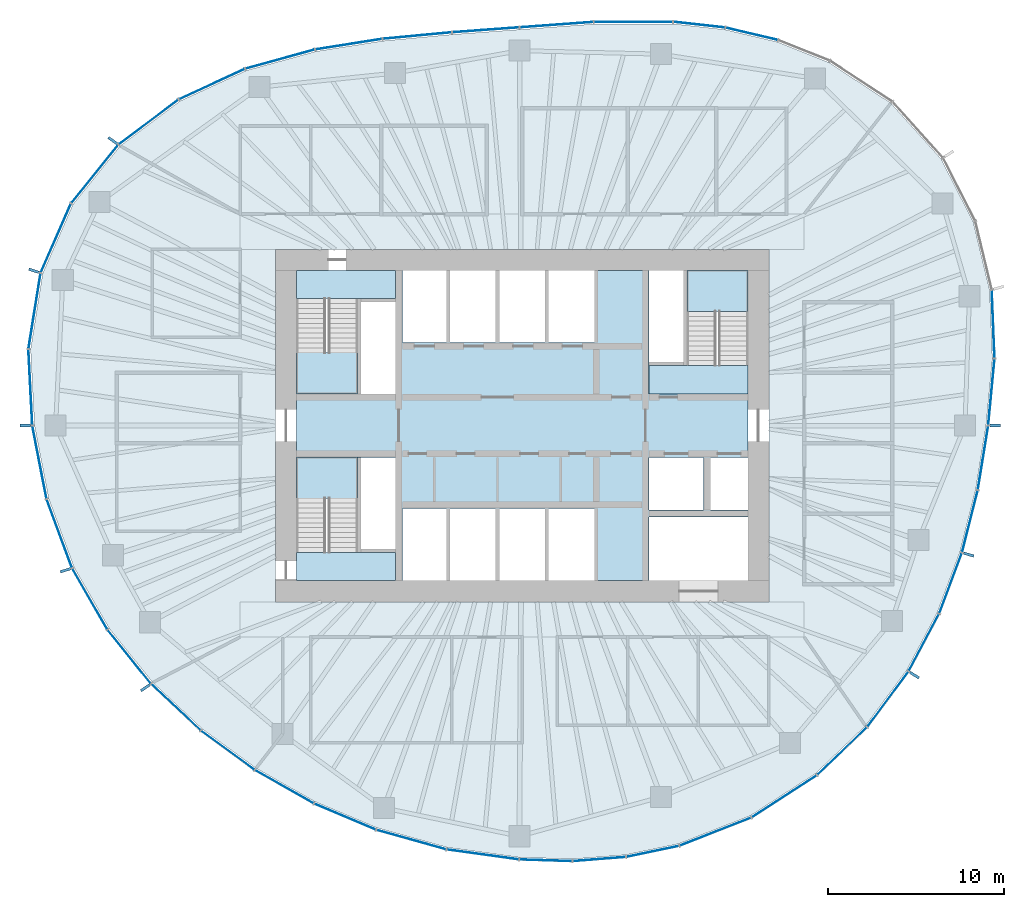
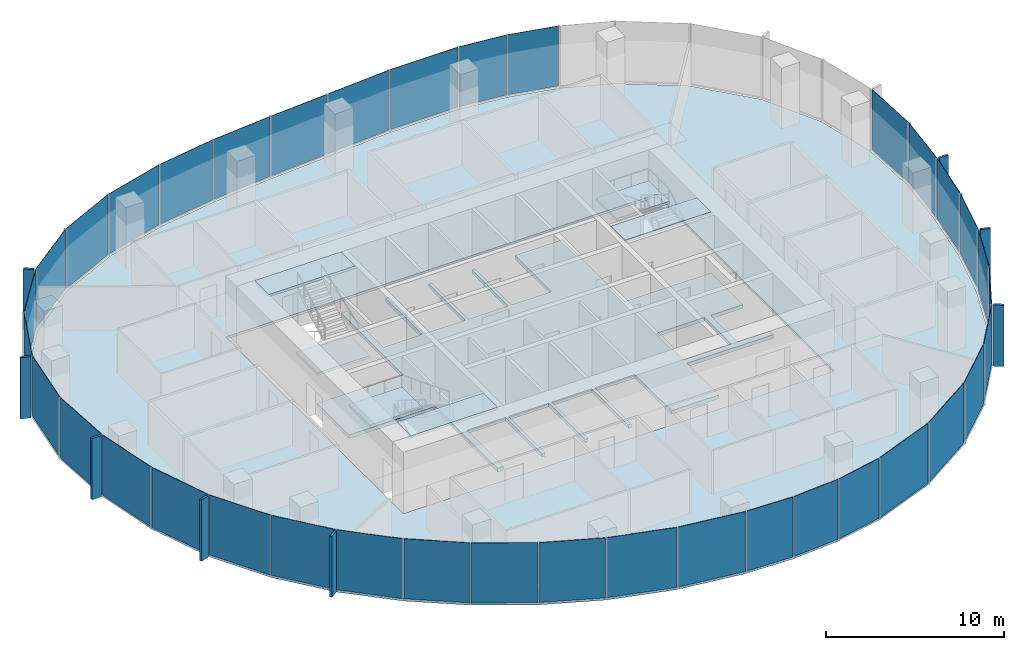
# One storey, part 7 of 12: 45 plates, 8 slabs, 21 elements without a shape of their own.
"""IFC4 building model written with IfcOpenShell, lengths in metres."""

from ifc_helpers import new_model, si_unit, direction, frame, origin, origin_2d, place, context, subcontext, project, spatial, polyline, rectangle, outline, extrude, material, layer, layer_set, type_object, element, aggregate, save


model = new_model("IFC4")

# Units and contexts
model_context = context("Model", 3, precision=1e-05, world=origin(), true_north=direction((0.0, 1.0)))
body_context = subcontext(model_context, "Body", "Model", "MODEL_VIEW")
ifc_project = project(units=[si_unit("LENGTHUNIT", "METRE"), si_unit("AREAUNIT", "SQUARE_METRE"), si_unit("VOLUMEUNIT", "CUBIC_METRE"), si_unit("PLANEANGLEUNIT", "RADIAN"), si_unit("MASSUNIT", "GRAM", prefix="KILO")], contexts=[model_context])

# Site, building, storey
site_placement = place(None, origin())
site = spatial("IfcSite", under=ifc_project, at=site_placement, CompositionType="ELEMENT")
building_placement = place(site_placement, origin())
building = spatial("IfcBuilding", under=site, at=building_placement, Name="Ghaith Harvest Tower", CompositionType="ELEMENT")
storey_placement = place(building_placement, frame((0.0, 0.0, 236.800048828125)))
storey = spatial("IfcBuildingStorey", under=building, at=storey_placement, Name="L52", CompositionType="ELEMENT", Elevation=236.800048828125)

# Curtain wall, plates
ifc_material_1 = material(Name="Black anodised aluminium and fritted glass", Category="aluminium")
curtain_wall_type = type_object("IfcCurtainWallType", Name="CW-H CURTAIN WALL", PredefinedType="NOTDEFINED", material=ifc_material_1)
curtain_wall_1_placement = place(storey_placement, origin())
curtain_wall_1 = element("IfcCurtainWall", 1, at=curtain_wall_1_placement, inside=storey, type_object=curtain_wall_type, Name="Curtain wall CW-H bay 01 L52", PredefinedType="NOTDEFINED")
ifc_material_2 = material(Name="Glass, dark solar-control fritted double glazed unit", Category="glass")
ifc_layer_1 = layer(ifc_material_2, 0.030029296875)
ifc_layer_set_1 = layer_set([ifc_layer_1], Name="CW-H VISION PANEL")
plate_type_1 = type_object("IfcPlateType", Name="CW-H VISION PANEL", PredefinedType="CURTAIN_PANEL", material=ifc_layer_set_1)
plate_1_placement = place(storey_placement, frame((26.624755859375, 1.89794921875, 0.079833984375), z_axis=(0.0, 0.0, 1.0), x_axis=(0.094301909937, 0.995543645343, 0.0)))
plate_1 = element("IfcPlate", 2, at=plate_1_placement, type_object=plate_type_1, Name="CW-H glass unit 1 bay 01 L52", PredefinedType="CURTAIN_PANEL", context=body_context, shape_type="SweptSolid", body=[
    extrude(rectangle(XDim=3.73291015625, YDim=0.030029296875, at=origin_2d()), origin(), (0.0, 0.0, 1.0), 4.1201171875),
])
plate_2_placement = place(storey_placement, frame((26.7255859375, 5.74853515625, 0.079833984375), z_axis=(0.0, 0.0, 1.0), x_axis=(-0.040462173218, 0.999181070947, 0.0)))
plate_2 = element("IfcPlate", 3, at=plate_2_placement, type_object=plate_type_1, Name="CW-H glass unit 2 bay 01 L52", PredefinedType="CURTAIN_PANEL", context=body_context, shape_type="SweptSolid", body=[
    extrude(rectangle(XDim=3.82861328125, YDim=0.030029296875, at=origin_2d()), origin(), (0.0, 0.0, 1.0), 4.1201171875),
])
aggregate(curtain_wall_1, [plate_1, plate_2])

curtain_wall_2_placement = place(storey_placement, origin())
curtain_wall_2 = element("IfcCurtainWall", 4, at=curtain_wall_2_placement, inside=storey, type_object=curtain_wall_type, Name="Curtain wall CW-H bay 04 L52", PredefinedType="NOTDEFINED")
plate_3_placement = place(storey_placement, frame((13.027099609375, 22.225341796875, 0.079833984375), z_axis=(0.0, 0.0, 1.0), x_axis=(-0.973266235028, 0.229679854916, 0.0)))
plate_3 = element("IfcPlate", 5, at=plate_3_placement, type_object=plate_type_1, Name="CW-H glass unit 2 bay 04 L52", PredefinedType="CURTAIN_PANEL", context=body_context, shape_type="SweptSolid", body=[
    extrude(rectangle(XDim=3.00244140625, YDim=0.030029296875, at=origin_2d()), origin(), (0.0, 0.0, 1.0), 4.1201171875),
])
plate_4_placement = place(storey_placement, frame((10.045654296875, 22.744384765625, 0.079833984375), z_axis=(0.0, 0.0, 1.0), x_axis=(-0.993865217442, 0.11059805405, 0.0)))
plate_4 = element("IfcPlate", 6, at=plate_4_placement, type_object=plate_type_1, Name="CW-H glass unit 3 bay 04 L52", PredefinedType="CURTAIN_PANEL", context=body_context, shape_type="SweptSolid", body=[
    extrude(rectangle(XDim=2.901123046875, YDim=0.030029296875, at=origin_2d()), origin(), (0.0, 0.0, 1.0), 4.1201171875),
])
aggregate(curtain_wall_2, [plate_3, plate_4])

curtain_wall_3_placement = place(storey_placement, origin())
curtain_wall_3 = element("IfcCurtainWall", 7, at=curtain_wall_3_placement, inside=storey, type_object=curtain_wall_type, Name="Curtain wall CW-H bay 05 L52", PredefinedType="NOTDEFINED")
plate_5_placement = place(storey_placement, frame((6.31201171875, 22.904296875, 0.079833984375), z_axis=(0.0, 0.0, 1.0), x_axis=(-0.999997643645, -0.002170876291, 0.0)))
plate_5 = element("IfcPlate", 8, at=plate_5_placement, type_object=plate_type_1, Name="CW-H glass unit 1 bay 05 L52", PredefinedType="CURTAIN_PANEL", context=body_context, shape_type="SweptSolid", body=[
    extrude(rectangle(XDim=4.4248046875, YDim=0.030029296875, at=origin_2d()), origin(), (0.0, 0.0, 1.0), 4.1201171875),
])
plate_6_placement = place(storey_placement, frame((1.952392578125, 22.744873046875, 0.079833984375), z_axis=(0.0, 0.0, 1.0), x_axis=(-0.997324570719, -0.073100619976, 0.0)))
plate_6 = element("IfcPlate", 9, at=plate_6_placement, type_object=plate_type_1, Name="CW-H glass unit 2 bay 05 L52", PredefinedType="CURTAIN_PANEL", context=body_context, shape_type="SweptSolid", body=[
    extrude(rectangle(XDim=4.1455078125, YDim=0.030029296875, at=origin_2d()), origin(), (0.0, 0.0, 1.0), 4.1201171875),
])
aggregate(curtain_wall_3, [plate_5, plate_6])

curtain_wall_4_placement = place(storey_placement, origin())
curtain_wall_4 = element("IfcCurtainWall", 10, at=curtain_wall_4_placement, inside=storey, type_object=curtain_wall_type, Name="Curtain wall CW-H bay 06 L52", PredefinedType="NOTDEFINED")
plate_7_placement = place(storey_placement, frame((-2.0693359375, 22.450439453125, 0.079833984375), z_axis=(0.0, 0.0, 1.0), x_axis=(-0.997334393671, -0.072966479985, 0.0)))
plate_7 = element("IfcPlate", 11, at=plate_7_placement, type_object=plate_type_1, Name="CW-H glass unit 1 bay 06 L52", PredefinedType="CURTAIN_PANEL", context=body_context, shape_type="SweptSolid", body=[
    extrude(rectangle(XDim=3.759765625, YDim=0.030029296875, at=origin_2d()), origin(), (0.0, 0.0, 1.0), 4.1201171875),
])
plate_8_placement = place(storey_placement, frame((-5.954345703125, 22.12548828125, 0.079833984375), z_axis=(0.0, 0.0, 1.0), x_axis=(-0.995631991968, -0.093364535934, 0.0)))
plate_8 = element("IfcPlate", 12, at=plate_8_placement, type_object=plate_type_1, Name="CW-H glass unit 2 bay 06 L52", PredefinedType="CURTAIN_PANEL", context=body_context, shape_type="SweptSolid", body=[
    extrude(rectangle(XDim=3.87744140625, YDim=0.030029296875, at=origin_2d()), origin(), (0.0, 0.0, 1.0), 4.1201171875),
])
aggregate(curtain_wall_4, [plate_7, plate_8])

curtain_wall_5_placement = place(storey_placement, origin())
curtain_wall_5 = element("IfcCurtainWall", 13, at=curtain_wall_5_placement, inside=storey, type_object=curtain_wall_type, Name="Curtain wall CW-H bay 07 L52", PredefinedType="NOTDEFINED")
plate_9_placement = place(storey_placement, frame((-9.83837890625, 21.638671875, 0.079833984375), z_axis=(0.0, 0.0, 1.0), x_axis=(-0.98777033338, -0.155915901993, 0.0)))
plate_9 = element("IfcPlate", 14, at=plate_9_placement, type_object=plate_type_1, Name="CW-H glass unit 1 bay 07 L52", PredefinedType="CURTAIN_PANEL", context=body_context, shape_type="SweptSolid", body=[
    extrude(rectangle(XDim=3.795166015625, YDim=0.030029296875, at=origin_2d()), origin(), (0.0, 0.0, 1.0), 4.1201171875),
])
plate_10_placement = place(storey_placement, frame((-13.736572265625, 20.78955078125, 0.079833984375), z_axis=(0.0, 0.0, 1.0), x_axis=(-0.964034113875, -0.26577853052, 0.0)))
plate_10 = element("IfcPlate", 15, at=plate_10_placement, type_object=plate_type_1, Name="CW-H glass unit 2 bay 07 L52", PredefinedType="CURTAIN_PANEL", context=body_context, shape_type="SweptSolid", body=[
    extrude(rectangle(XDim=4.03662109375, YDim=0.030029296875, at=origin_2d()), origin(), (0.0, 0.0, 1.0), 4.1201171875),
])
aggregate(curtain_wall_5, [plate_9, plate_10])

curtain_wall_6_placement = place(storey_placement, origin())
curtain_wall_6 = element("IfcCurtainWall", 16, at=curtain_wall_6_placement, inside=storey, type_object=curtain_wall_type, Name="Curtain wall CW-H bay 08 L52", PredefinedType="NOTDEFINED")
plate_11_placement = place(storey_placement, frame((-17.608154296875, 19.370849609375, 0.079833984375), z_axis=(0.0, 0.0, 1.0), x_axis=(-0.907814470414, -0.419372015408, 0.0)))
plate_11 = element("IfcPlate", 17, at=plate_11_placement, type_object=plate_type_1, Name="CW-H glass unit 1 bay 08 L52", PredefinedType="CURTAIN_PANEL", context=body_context, shape_type="SweptSolid", body=[
    extrude(rectangle(XDim=4.077392578125, YDim=0.030029296875, at=origin_2d()), origin(), (0.0, 0.0, 1.0), 4.1201171875),
])
plate_12_placement = place(storey_placement, frame((-21.20166015625, 17.219482421875, 0.079833984375), z_axis=(0.0, 0.0, 1.0), x_axis=(-0.800067053187, -0.599910585341, 0.0)))
plate_12 = element("IfcPlate", 18, at=plate_12_placement, type_object=plate_type_1, Name="CW-H glass unit 2 bay 08 L52", PredefinedType="CURTAIN_PANEL", context=body_context, shape_type="SweptSolid", body=[
    extrude(rectangle(XDim=4.18603515625, YDim=0.030029296875, at=origin_2d()), origin(), (0.0, 0.0, 1.0), 4.1201171875),
])
aggregate(curtain_wall_6, [plate_11, plate_12])

curtain_wall_7_placement = place(storey_placement, origin())
curtain_wall_7 = element("IfcCurtainWall", 19, at=curtain_wall_7_placement, inside=storey, type_object=curtain_wall_type, Name="Curtain wall CW-H bay 09 L52", PredefinedType="NOTDEFINED")
plate_13_placement = place(storey_placement, frame((-24.25390625, 14.270263671875, 0.079833984375), z_axis=(0.0, 0.0, 1.0), x_axis=(-0.627547637499, -0.778578167347, 0.0)))
plate_13 = element("IfcPlate", 20, at=plate_13_placement, type_object=plate_type_1, Name="CW-H glass unit 1 bay 09 L52", PredefinedType="CURTAIN_PANEL", context=body_context, shape_type="SweptSolid", body=[
    extrude(rectangle(XDim=4.208740234375, YDim=0.030029296875, at=origin_2d()), origin(), (0.0, 0.0, 1.0), 4.1201171875),
])
plate_14_placement = place(storey_placement, frame((-26.462646484375, 10.63037109375, 0.079833984375), z_axis=(0.0, 0.0, 1.0), x_axis=(-0.40121291108, -0.915984825192, 0.0)))
plate_14 = element("IfcPlate", 21, at=plate_14_placement, type_object=plate_type_1, Name="CW-H glass unit 2 bay 09 L52", PredefinedType="CURTAIN_PANEL", context=body_context, shape_type="SweptSolid", body=[
    extrude(rectangle(XDim=4.22216796875, YDim=0.030029296875, at=origin_2d()), origin(), (0.0, 0.0, 1.0), 4.1201171875),
])
aggregate(curtain_wall_7, [plate_13, plate_14])

curtain_wall_8_placement = place(storey_placement, origin())
curtain_wall_8 = element("IfcCurtainWall", 22, at=curtain_wall_8_placement, inside=storey, type_object=curtain_wall_type, Name="Curtain wall CW-H bay 10 L52", PredefinedType="NOTDEFINED")
plate_15_placement = place(storey_placement, frame((-27.670654296875, 6.49658203125, 0.079833984375), z_axis=(0.0, 0.0, 1.0), x_axis=(-0.157514341695, -0.987516699687, 0.0)))
plate_15 = element("IfcPlate", 23, at=plate_15_placement, type_object=plate_type_1, Name="CW-H glass unit 1 bay 10 L52", PredefinedType="CURTAIN_PANEL", context=body_context, shape_type="SweptSolid", body=[
    extrude(rectangle(XDim=4.301513671875, YDim=0.030029296875, at=origin_2d()), origin(), (0.0, 0.0, 1.0), 4.1201171875),
])
plate_16_placement = place(storey_placement, frame((-27.905517578125, 2.16650390625, 0.079833984375), z_axis=(0.0, 0.0, 1.0), x_axis=(0.050894857592, -0.998704016949, 0.0)))
plate_16 = element("IfcPlate", 24, at=plate_16_placement, type_object=plate_type_1, Name="CW-H glass unit 2 bay 10 L52", PredefinedType="CURTAIN_PANEL", context=body_context, shape_type="SweptSolid", body=[
    extrude(rectangle(XDim=4.2587890625, YDim=0.030029296875, at=origin_2d()), origin(), (0.0, 0.0, 1.0), 4.1201171875),
])
aggregate(curtain_wall_8, [plate_15, plate_16])

curtain_wall_9_placement = place(storey_placement, origin())
curtain_wall_9 = element("IfcCurtainWall", 25, at=curtain_wall_9_placement, inside=storey, type_object=curtain_wall_type, Name="Curtain wall CW-H bay 11 L52", PredefinedType="NOTDEFINED")
plate_17_placement = place(storey_placement, frame((-27.39013671875, -2.0869140625, 0.079833984375), z_axis=(0.0, 0.0, 1.0), x_axis=(0.190426809322, -0.981701395686, 0.0)))
plate_17 = element("IfcPlate", 26, at=plate_17_placement, type_object=plate_type_1, Name="CW-H glass unit 1 bay 11 L52", PredefinedType="CURTAIN_PANEL", context=body_context, shape_type="SweptSolid", body=[
    extrude(rectangle(XDim=4.171630859375, YDim=0.030029296875, at=origin_2d()), origin(), (0.0, 0.0, 1.0), 4.1201171875),
])
plate_18_placement = place(storey_placement, frame((-26.261962890625, -6.1337890625, 0.079833984375), z_axis=(0.0, 0.0, 1.0), x_axis=(0.346303431688, -0.938122557666, 0.0)))
plate_18 = element("IfcPlate", 27, at=plate_18_placement, type_object=plate_type_1, Name="CW-H glass unit 2 bay 11 L52", PredefinedType="CURTAIN_PANEL", context=body_context, shape_type="SweptSolid", body=[
    extrude(rectangle(XDim=4.098388671875, YDim=0.030029296875, at=origin_2d()), origin(), (0.0, 0.0, 1.0), 4.1201171875),
])
aggregate(curtain_wall_9, [plate_17, plate_18])

curtain_wall_10_placement = place(storey_placement, origin())
curtain_wall_10 = element("IfcCurtainWall", 28, at=curtain_wall_10_placement, inside=storey, type_object=curtain_wall_type, Name="Curtain wall CW-H bay 12 L52", PredefinedType="NOTDEFINED")
plate_19_placement = place(storey_placement, frame((-24.535888671875, -9.838623046875, 0.079833984375), z_axis=(0.0, 0.0, 1.0), x_axis=(0.49818018945, -0.867073525625, 0.0)))
plate_19 = element("IfcPlate", 29, at=plate_19_placement, type_object=plate_type_1, Name="CW-H glass unit 1 bay 12 L52", PredefinedType="CURTAIN_PANEL", context=body_context, shape_type="SweptSolid", body=[
    extrude(rectangle(XDim=3.945068359375, YDim=0.030029296875, at=origin_2d()), origin(), (0.0, 0.0, 1.0), 4.1201171875),
])
plate_20_placement = place(storey_placement, frame((-22.29736328125, -13.119140625, 0.079833984375), z_axis=(0.0, 0.0, 1.0), x_axis=(0.626957061695, -0.779053812513, 0.0)))
plate_20 = element("IfcPlate", 30, at=plate_20_placement, type_object=plate_type_1, Name="CW-H glass unit 2 bay 12 L52", PredefinedType="CURTAIN_PANEL", context=body_context, shape_type="SweptSolid", body=[
    extrude(rectangle(XDim=3.8623046875, YDim=0.030029296875, at=origin_2d()), origin(), (0.0, 0.0, 1.0), 4.1201171875),
])
aggregate(curtain_wall_10, [plate_19, plate_20])

curtain_wall_11_placement = place(storey_placement, origin())
curtain_wall_11 = element("IfcCurtainWall", 31, at=curtain_wall_11_placement, inside=storey, type_object=curtain_wall_type, Name="Curtain wall CW-H bay 13 L52", PredefinedType="NOTDEFINED")
plate_21_placement = place(storey_placement, frame((-19.649658203125, -15.98046875, 0.079833984375), z_axis=(0.0, 0.0, 1.0), x_axis=(0.729016864325, -0.684495735217, 0.0)))
plate_21 = element("IfcPlate", 32, at=plate_21_placement, type_object=plate_type_1, Name="CW-H glass unit 1 bay 13 L52", PredefinedType="CURTAIN_PANEL", context=body_context, shape_type="SweptSolid", body=[
    extrude(rectangle(XDim=3.793212890625, YDim=0.030029296875, at=origin_2d()), origin(), (0.0, 0.0, 1.0), 4.1201171875),
])
plate_22_placement = place(storey_placement, frame((-16.707763671875, -18.42431640625, 0.079833984375), z_axis=(0.0, 0.0, 1.0), x_axis=(0.80736351134, -0.590054370848, 0.0)))
plate_22 = element("IfcPlate", 33, at=plate_22_placement, type_object=plate_type_1, Name="CW-H glass unit 2 bay 13 L52", PredefinedType="CURTAIN_PANEL", context=body_context, shape_type="SweptSolid", body=[
    extrude(rectangle(XDim=3.710693359375, YDim=0.030029296875, at=origin_2d()), origin(), (0.0, 0.0, 1.0), 4.1201171875),
])
aggregate(curtain_wall_11, [plate_21, plate_22])

curtain_wall_12_placement = place(storey_placement, origin())
curtain_wall_12 = element("IfcCurtainWall", 34, at=curtain_wall_12_placement, inside=storey, type_object=curtain_wall_type, Name="Curtain wall CW-H bay 14 L52", PredefinedType="NOTDEFINED")
plate_23_placement = place(storey_placement, frame((-13.496337890625, -20.496826171875, 0.079833984375), z_axis=(0.0, 0.0, 1.0), x_axis=(0.869715300233, -0.493553742303, 0.0)))
plate_23 = element("IfcPlate", 35, at=plate_23_placement, type_object=plate_type_1, Name="CW-H glass unit 1 bay 14 L52", PredefinedType="CURTAIN_PANEL", context=body_context, shape_type="SweptSolid", body=[
    extrude(rectangle(XDim=3.785888671875, YDim=0.030029296875, at=origin_2d()), origin(), (0.0, 0.0, 1.0), 4.1201171875),
])
plate_24_placement = place(storey_placement, frame((-10.050537109375, -22.1962890625, 0.079833984375), z_axis=(0.0, 0.0, 1.0), x_axis=(0.921181516072, -0.389133157734, 0.0)))
plate_24 = element("IfcPlate", 36, at=plate_24_placement, type_object=plate_type_1, Name="CW-H glass unit 2 bay 14 L52", PredefinedType="CURTAIN_PANEL", context=body_context, shape_type="SweptSolid", body=[
    extrude(rectangle(XDim=3.751220703125, YDim=0.030029296875, at=origin_2d()), origin(), (0.0, 0.0, 1.0), 4.1201171875),
])
aggregate(curtain_wall_12, [plate_23, plate_24])

curtain_wall_13_placement = place(storey_placement, origin())
curtain_wall_13 = element("IfcCurtainWall", 37, at=curtain_wall_13_placement, inside=storey, type_object=curtain_wall_type, Name="Curtain wall CW-H bay 15 L52", PredefinedType="NOTDEFINED")
plate_25_placement = place(storey_placement, frame((-6.291015625, -23.49853515625, 0.079833984375), z_axis=(0.0, 0.0, 1.0), x_axis=(0.963162861349, -0.268918765647, 0.0)))
plate_25 = element("IfcPlate", 38, at=plate_25_placement, type_object=plate_type_1, Name="CW-H glass unit 1 bay 15 L52", PredefinedType="CURTAIN_PANEL", context=body_context, shape_type="SweptSolid", body=[
    extrude(rectangle(XDim=4.062744140625, YDim=0.030029296875, at=origin_2d()), origin(), (0.0, 0.0, 1.0), 4.1201171875),
])
plate_26_placement = place(storey_placement, frame((-2.232177734375, -24.34033203125, 0.079833984375), z_axis=(0.0, 0.0, 1.0), x_axis=(0.990612268407, -0.136701622823, 0.0)))
plate_26 = element("IfcPlate", 39, at=plate_26_placement, type_object=plate_type_1, Name="CW-H glass unit 2 bay 15 L52", PredefinedType="CURTAIN_PANEL", context=body_context, shape_type="SweptSolid", body=[
    extrude(rectangle(XDim=4.08642578125, YDim=0.030029296875, at=origin_2d()), origin(), (0.0, 0.0, 1.0), 4.1201171875),
])
aggregate(curtain_wall_13, [plate_25, plate_26])

curtain_wall_14_placement = place(storey_placement, origin())
curtain_wall_14 = element("IfcCurtainWall", 40, at=curtain_wall_14_placement, inside=storey, type_object=curtain_wall_type, Name="Curtain wall CW-H bay 16 L52", PredefinedType="NOTDEFINED")
plate_27_placement = place(storey_placement, frame((1.339599609375, -24.67333984375, 0.079833984375), z_axis=(0.0, 0.0, 1.0), x_axis=(0.99949125523, -0.031894054587, 0.0)))
plate_27 = element("IfcPlate", 41, at=plate_27_placement, type_object=plate_type_1, Name="CW-H glass unit 1 bay 16 L52", PredefinedType="CURTAIN_PANEL", context=body_context, shape_type="SweptSolid", body=[
    extrude(rectangle(XDim=2.937744140625, YDim=0.030029296875, at=origin_2d()), origin(), (0.0, 0.0, 1.0), 4.1201171875),
])
plate_28_placement = place(storey_placement, frame((4.37060546875, -24.60205078125, 0.079833984375), z_axis=(0.0, 0.0, 1.0), x_axis=(0.996945418782, 0.078101421048, 0.0)))
plate_28 = element("IfcPlate", 42, at=plate_28_placement, type_object=plate_type_1, Name="CW-H glass unit 2 bay 16 L52", PredefinedType="CURTAIN_PANEL", context=body_context, shape_type="SweptSolid", body=[
    extrude(rectangle(XDim=2.974853515625, YDim=0.030029296875, at=origin_2d()), origin(), (0.0, 0.0, 1.0), 4.1201171875),
])
plate_29_placement = place(storey_placement, frame((7.40478515625, -24.16650390625, 0.079833984375), z_axis=(0.0, 0.0, 1.0), x_axis=(0.978788872874, 0.204871526422, 0.0)))
plate_29 = element("IfcPlate", 43, at=plate_29_placement, type_object=plate_type_1, Name="CW-H glass unit 3 bay 16 L52", PredefinedType="CURTAIN_PANEL", context=body_context, shape_type="SweptSolid", body=[
    extrude(rectangle(XDim=3.00830078125, YDim=0.030029296875, at=origin_2d()), origin(), (0.0, 0.0, 1.0), 4.1201171875),
])
aggregate(curtain_wall_14, [plate_27, plate_28, plate_29])

curtain_wall_15_placement = place(storey_placement, origin())
curtain_wall_15 = element("IfcCurtainWall", 44, at=curtain_wall_15_placement, inside=storey, type_object=curtain_wall_type, Name="Curtain wall CW-H bay 17 L52", PredefinedType="NOTDEFINED")
plate_30_placement = place(storey_placement, frame((10.963134765625, -23.048583984375, 0.079833984375), z_axis=(0.0, 0.0, 1.0), x_axis=(0.931161161765, 0.364607858966, 0.0)))
plate_30 = element("IfcPlate", 45, at=plate_30_placement, type_object=plate_type_1, Name="CW-H glass unit 1 bay 17 L52", PredefinedType="CURTAIN_PANEL", context=body_context, shape_type="SweptSolid", body=[
    extrude(rectangle(XDim=4.316650390625, YDim=0.030029296875, at=origin_2d()), origin(), (0.0, 0.0, 1.0), 4.1201171875),
])
plate_31_placement = place(storey_placement, frame((14.869384765625, -21.042724609375, 0.079833984375), z_axis=(0.0, 0.0, 1.0), x_axis=(0.839305300126, 0.543660384045, 0.0)))
plate_31 = element("IfcPlate", 46, at=plate_31_placement, type_object=plate_type_1, Name="CW-H glass unit 2 bay 17 L52", PredefinedType="CURTAIN_PANEL", context=body_context, shape_type="SweptSolid", body=[
    extrude(rectangle(XDim=4.35107421875, YDim=0.030029296875, at=origin_2d()), origin(), (0.0, 0.0, 1.0), 4.1201171875),
])
aggregate(curtain_wall_15, [plate_30, plate_31])

curtain_wall_16_placement = place(storey_placement, origin())
curtain_wall_16 = element("IfcCurtainWall", 47, at=curtain_wall_16_placement, inside=storey, type_object=curtain_wall_type, Name="Curtain wall CW-H bay 18 L52", PredefinedType="NOTDEFINED")
plate_32_placement = place(storey_placement, frame((18.151611328125, -18.47705078125, 0.079833984375), z_axis=(0.0, 0.0, 1.0), x_axis=(0.722532585058, 0.691336866896, 0.0)))
plate_32 = element("IfcPlate", 48, at=plate_32_placement, type_object=plate_type_1, Name="CW-H glass unit 1 bay 18 L52", PredefinedType="CURTAIN_PANEL", context=body_context, shape_type="SweptSolid", body=[
    extrude(rectangle(XDim=3.85791015625, YDim=0.030029296875, at=origin_2d()), origin(), (0.0, 0.0, 1.0), 4.1201171875),
])
plate_33_placement = place(storey_placement, frame((20.74853515625, -15.53369140625, 0.079833984375), z_axis=(0.0, 0.0, 1.0), x_axis=(0.596018639888, 0.802970597784, 0.0)))
plate_33 = element("IfcPlate", 49, at=plate_33_placement, type_object=plate_type_1, Name="CW-H glass unit 2 bay 18 L52", PredefinedType="CURTAIN_PANEL", context=body_context, shape_type="SweptSolid", body=[
    extrude(rectangle(XDim=3.8603515625, YDim=0.030029296875, at=origin_2d()), origin(), (0.0, 0.0, 1.0), 4.1201171875),
])
aggregate(curtain_wall_16, [plate_32, plate_33])

curtain_wall_17_placement = place(storey_placement, origin())
curtain_wall_17 = element("IfcCurtainWall", 50, at=curtain_wall_17_placement, inside=storey, type_object=curtain_wall_type, Name="Curtain wall CW-H bay 19 L52", PredefinedType="NOTDEFINED")
plate_34_placement = place(storey_placement, frame((22.79052734375, -12.316162109375, 0.079833984375), z_axis=(0.0, 0.0, 1.0), x_axis=(0.46864379564, 0.883387226989, 0.0)))
plate_34 = element("IfcPlate", 51, at=plate_34_placement, type_object=plate_type_1, Name="CW-H glass unit 1 bay 19 L52", PredefinedType="CURTAIN_PANEL", context=body_context, shape_type="SweptSolid", body=[
    extrude(rectangle(XDim=3.623291015625, YDim=0.030029296875, at=origin_2d()), origin(), (0.0, 0.0, 1.0), 4.1201171875),
])
plate_35_placement = place(storey_placement, frame((24.30712890625, -8.946533203125, 0.079833984375), z_axis=(0.0, 0.0, 1.0), x_axis=(0.350480749824, 0.936569935457, 0.0)))
plate_35 = element("IfcPlate", 52, at=plate_35_placement, type_object=plate_type_1, Name="CW-H glass unit 2 bay 19 L52", PredefinedType="CURTAIN_PANEL", context=body_context, shape_type="SweptSolid", body=[
    extrude(rectangle(XDim=3.62255859375, YDim=0.030029296875, at=origin_2d()), origin(), (0.0, 0.0, 1.0), 4.1201171875),
])
aggregate(curtain_wall_17, [plate_34, plate_35])

curtain_wall_18_placement = place(storey_placement, origin())
curtain_wall_18 = element("IfcCurtainWall", 53, at=curtain_wall_18_placement, inside=storey, type_object=curtain_wall_type, Name="Curtain wall CW-H bay 20 L52", PredefinedType="NOTDEFINED")
plate_36_placement = place(storey_placement, frame((25.404541015625, -5.43701171875, 0.079833984375), z_axis=(0.0, 0.0, 1.0), x_axis=(0.244925945134, 0.969541789404, 0.0)))
plate_36 = element("IfcPlate", 54, at=plate_36_placement, type_object=plate_type_1, Name="CW-H glass unit 1 bay 20 L52", PredefinedType="CURTAIN_PANEL", context=body_context, shape_type="SweptSolid", body=[
    extrude(rectangle(XDim=3.583251953125, YDim=0.030029296875, at=origin_2d()), origin(), (0.0, 0.0, 1.0), 4.1201171875),
])
plate_37_placement = place(storey_placement, frame((26.14892578125, -1.83056640625, 0.079833984375), z_axis=(0.0, 0.0, 1.0), x_axis=(0.159600748097, 0.987181645497, 0.0)))
plate_37 = element("IfcPlate", 55, at=plate_37_placement, type_object=plate_type_1, Name="CW-H glass unit 2 bay 20 L52", PredefinedType="CURTAIN_PANEL", context=body_context, shape_type="SweptSolid", body=[
    extrude(rectangle(XDim=3.628662109375, YDim=0.030029296875, at=origin_2d()), origin(), (0.0, 0.0, 1.0), 4.1201171875),
])
aggregate(curtain_wall_18, [plate_36, plate_37])

# Slabs
ifc_material_3 = material(Name="Concrete C40/50", Category="concrete")
ifc_layer_2 = layer(ifc_material_3, 0.169921875)
ifc_layer_set_2 = layer_set([ifc_layer_2], Name="FLOOR SLAB 170")
slab_type_1 = type_object("IfcSlabType", Name="FLOOR SLAB 170", PredefinedType="FLOOR", material=ifc_layer_set_2)
slab_1_placement = place(storey_placement, frame((0.0, 0.0, -0.170166015625)))
element("IfcSlab", 56, at=slab_1_placement, inside=storey, type_object=slab_type_1, Name="Floor slab L52", PredefinedType="FLOOR", context=body_context, shape_type="SweptSolid", body=[
    extrude(outline(polyline([(26.324951171875, 0.0), (26.685791015625, 3.779052734375), (26.531005859375, 7.668212890625), (25.597900390625, 11.55615234375), (23.77294921875, 15.12939453125), (20.923095703125, 18.295166015625), (17.382080078125, 20.612548828125), (14.460693359375, 21.771484375), (11.47265625, 22.47265625), (8.522216796875, 22.796875), (4.03857421875, 22.78125), (-0.15380859375, 22.470458984375), (-3.963134765625, 22.192138671875), (-7.8837890625, 21.827880859375), (-11.694580078125, 21.2314453125), (-15.6474609375, 20.147705078125), (-19.408203125, 18.41650390625), (-22.809814453125, 15.87109375), (-25.491943359375, 12.547607421875), (-27.211181640625, 8.623779296875), (-27.897216796875, 4.314697265625), (-27.675048828125, 0.0), (-26.86669921875, -4.155517578125), (-25.424072265625, -8.057373046875), (-23.425537109375, -11.530517578125), (-20.963134765625, -14.586181640625), (-18.15087890625, -17.223388671875), (-15.10400390625, -19.447998046875), (-11.75732421875, -21.345703125), (-8.2451171875, -22.82861328125), (-4.27490234375, -23.9375), (-0.167724609375, -24.505126953125), (2.833984375, -24.602294921875), (5.865234375, -24.3662109375), (8.8740234375, -23.73779296875), (12.949462890625, -22.1435546875), (16.651611328125, -19.746337890625), (19.48388671875, -17.036865234375), (21.821533203125, -13.887451171875), (23.548828125, -10.631103515625), (24.840576171875, -7.179443359375), (25.734375, -3.644287109375), (26.324951171875, 0.0)]), holes=[polyline([(-14.0, -10.0), (14.0, -10.0), (14.0, 10.0), (-14.0, 10.0), (-14.0, -10.0)])]), origin(), (0.0, 0.0, 1.0), 0.170166015625),
])
ifc_material_4 = material(Name="Concrete C40/50", Category="concrete")
ifc_layer_3 = layer(ifc_material_4, 0.25)
ifc_layer_set_3 = layer_set([ifc_layer_3], Name="FLOOR SLAB 250")
slab_type_2 = type_object("IfcSlabType", Name="FLOOR SLAB 250", PredefinedType="FLOOR", material=ifc_layer_set_3)
slab_2_placement = place(storey_placement, frame((0.0, 0.0, -0.25)))
element("IfcSlab", 57, at=slab_2_placement, inside=storey, type_object=slab_type_2, Name="Core slab L52", PredefinedType="FLOOR", context=body_context, shape_type="SweptSolid", body=[
    extrude(outline(polyline([(-12.800048828125, 1.800048828125), (-7.199951171875, 1.800048828125), (-7.199951171875, 8.800048828125), (-6.800048828125, 8.800048828125), (-6.800048828125, 4.699951171875), (-4.300048828125, 4.699951171875), (-4.300048828125, 8.800048828125), (-4.10009765625, 8.800048828125), (-4.10009765625, 4.699951171875), (-1.5, 4.699951171875), (-1.5, 8.800048828125), (-1.300048828125, 8.800048828125), (-1.300048828125, 4.699951171875), (1.300048828125, 4.699951171875), (1.300048828125, 8.800048828125), (1.5, 8.800048828125), (1.5, 4.699951171875), (4.10009765625, 4.699951171875), (4.10009765625, 8.800048828125), (7.199951171875, 8.800048828125), (7.199951171875, 1.800048828125), (12.800048828125, 1.800048828125), (12.800048828125, -1.800048828125), (10.699951171875, -1.800048828125), (10.699951171875, -4.800048828125), (12.800048828125, -4.800048828125), (12.800048828125, -5.199951171875), (7.199951171875, -5.199951171875), (7.199951171875, -8.800048828125), (4.10009765625, -8.800048828125), (4.10009765625, -4.699951171875), (1.5, -4.699951171875), (1.5, -8.800048828125), (1.300048828125, -8.800048828125), (1.300048828125, -4.699951171875), (-1.300048828125, -4.699951171875), (-1.300048828125, -8.800048828125), (-1.5, -8.800048828125), (-1.5, -4.699951171875), (-4.10009765625, -4.699951171875), (-4.10009765625, -8.800048828125), (-4.300048828125, -8.800048828125), (-4.300048828125, -4.699951171875), (-6.800048828125, -4.699951171875), (-6.800048828125, -8.800048828125), (-7.199951171875, -8.800048828125), (-7.199951171875, -1.800048828125), (-12.800048828125, -1.800048828125), (-12.800048828125, 1.800048828125)]), holes=[polyline([(10.300048828125, -4.800048828125), (10.300048828125, -1.800048828125), (7.199951171875, -1.800048828125), (7.199951171875, -4.800048828125), (10.300048828125, -4.800048828125)])]), origin(), (0.0, 0.0, 1.0), 0.25),
])

# Stair, slabs
ifc_material_5 = material(Name="Concrete C40/50, precast", Category="concrete")
stair_type = type_object("IfcStairType", Name="CORE STAIR 24R", PredefinedType="HALF_TURN_STAIR", material=ifc_material_5)
stair_1_placement = place(storey_placement, origin())
stair_1 = element("IfcStair", 58, at=stair_1_placement, inside=storey, type_object=stair_type, Name="Stair ST1 L52", PredefinedType="HALF_TURN_STAIR")
ifc_material_6 = material(Name="Concrete C40/50, precast", Category="concrete")
ifc_layer_4 = layer(ifc_material_6, 0.179931640625)
ifc_layer_set_4 = layer_set([ifc_layer_4], Name="STAIR LANDING 180")
slab_type_3 = type_object("IfcSlabType", Name="STAIR LANDING 180", PredefinedType="LANDING", material=ifc_layer_set_4)
slab_3_placement = place(storey_placement, frame((0.0, 0.0, 1.919921875)))
slab_3 = element("IfcSlab", 59, at=slab_3_placement, type_object=slab_type_3, Name="ST1 landing 1", PredefinedType="LANDING", context=body_context, shape_type="SweptSolid", body=[
    extrude(outline(polyline([(-12.800048828125, 4.139892578125), (-12.800048828125, 1.77490234375), (-9.35009765625, 1.77490234375), (-9.35009765625, 4.139892578125), (-12.800048828125, 4.139892578125)])), origin(), (0.0, 0.0, 1.0), 0.179931640625),
])
slab_4_placement = place(storey_placement, frame((0.0, 0.0, 4.02001953125)))
slab_4 = element("IfcSlab", 60, at=slab_4_placement, type_object=slab_type_3, Name="ST1 landing 2", PredefinedType="LANDING", context=body_context, shape_type="SweptSolid", body=[
    extrude(outline(polyline([(-12.800048828125, 8.800048828125), (-12.800048828125, 7.199951171875), (-7.199951171875, 7.199951171875), (-7.199951171875, 8.800048828125), (-12.800048828125, 8.800048828125)])), origin(), (0.0, 0.0, 1.0), 0.179931640625),
])
aggregate(stair_1, [slab_3, slab_4])

stair_2_placement = place(storey_placement, origin())
stair_2 = element("IfcStair", 61, at=stair_2_placement, inside=storey, type_object=stair_type, Name="Stair ST3 L52", PredefinedType="HALF_TURN_STAIR")
slab_5_placement = place(storey_placement, frame((0.0, 0.0, 1.919921875)))
slab_5 = element("IfcSlab", 62, at=slab_5_placement, type_object=slab_type_3, Name="ST3 landing 1", PredefinedType="LANDING", context=body_context, shape_type="SweptSolid", body=[
    extrude(outline(polyline([(-12.800048828125, -4.139892578125), (-12.800048828125, -1.77490234375), (-9.35009765625, -1.77490234375), (-9.35009765625, -4.139892578125), (-12.800048828125, -4.139892578125)])), origin(), (0.0, 0.0, 1.0), 0.179931640625),
])
slab_6_placement = place(storey_placement, frame((0.0, 0.0, 4.02001953125)))
slab_6 = element("IfcSlab", 63, at=slab_6_placement, type_object=slab_type_3, Name="ST3 landing 2", PredefinedType="LANDING", context=body_context, shape_type="SweptSolid", body=[
    extrude(outline(polyline([(-12.800048828125, -8.800048828125), (-12.800048828125, -7.199951171875), (-7.199951171875, -7.199951171875), (-7.199951171875, -8.800048828125), (-12.800048828125, -8.800048828125)])), origin(), (0.0, 0.0, 1.0), 0.179931640625),
])
aggregate(stair_2, [slab_5, slab_6])

stair_3_placement = place(storey_placement, origin())
stair_3 = element("IfcStair", 64, at=stair_3_placement, inside=storey, type_object=stair_type, Name="Stair ST2 L52", PredefinedType="HALF_TURN_STAIR")
slab_7_placement = place(storey_placement, frame((0.0, 0.0, 1.919921875)))
slab_7 = element("IfcSlab", 65, at=slab_7_placement, type_object=slab_type_3, Name="ST2 landing 1", PredefinedType="LANDING", context=body_context, shape_type="SweptSolid", body=[
    extrude(outline(polyline([(12.800048828125, 6.4599609375), (12.800048828125, 8.800048828125), (9.35009765625, 8.800048828125), (9.35009765625, 6.4599609375), (12.800048828125, 6.4599609375)])), origin(), (0.0, 0.0, 1.0), 0.179931640625),
])
slab_8_placement = place(storey_placement, frame((0.0, 0.0, 4.02001953125)))
slab_8 = element("IfcSlab", 66, at=slab_8_placement, type_object=slab_type_3, Name="ST2 landing 2", PredefinedType="LANDING", context=body_context, shape_type="SweptSolid", body=[
    extrude(outline(polyline([(12.800048828125, 1.800048828125), (12.800048828125, 3.39990234375), (7.199951171875, 3.39990234375), (7.199951171875, 1.800048828125), (12.800048828125, 1.800048828125)])), origin(), (0.0, 0.0, 1.0), 0.179931640625),
])
aggregate(stair_3, [slab_7, slab_8])

# Plates
ifc_material_7 = material(Name="Glassfibre-reinforced concrete", Category="concrete")
ifc_layer_5 = layer(ifc_material_7, 0.14990234375)
ifc_layer_set_5 = layer_set([ifc_layer_5], Name="SUN-BREAKER FIN 600x150")
plate_type_2 = type_object("IfcPlateType", Name="SUN-BREAKER FIN 600x150", PredefinedType="USERDEFINED", material=ifc_layer_set_5)
for number, where, z_axis, x_axis, name in (
    (67, (26.844970703125, 0.0, 0.0), (0.0, 0.0, 1.0), (1.0, 0.0, 0.0), "Sun-breaker fin CW-H 1 bay 01 L52"),
    (68, (-23.236572265625, 16.168212890625, 0.0), (0.0, 0.0, 1.0), (-0.820845486523, 0.571150319316, 0.0), "Sun-breaker fin CW-H 1 bay 09 L52"),
    (69, (-27.70703125, 8.78076171875, 0.0), (0.0, 0.0, 1.0), (-0.953273219358, 0.302109531884, 0.0), "Sun-breaker fin CW-H 1 bay 10 L52"),
    (70, (-28.195068359375, 0.0, 0.0), (0.0, 0.0, 1.0), (-1.0, -4.19e-10, 0.0), "Sun-breaker fin CW-H 1 bay 11 L52"),
    (71, (-25.919677734375, -8.21435546875, 0.0), (0.0, 0.0, 1.0), (-0.953273219416, -0.302109531701, 0.0), "Sun-breaker fin CW-H 1 bay 12 L52"),
    (72, (-21.389892578125, -14.88330078125, 0.0), (0.0, 0.0, 1.0), (-0.820845486622, -0.571150319173, 0.0), "Sun-breaker fin CW-H 1 bay 13 L52"),
    (73, (22.26025390625, -14.16650390625, 0.0), (0.0, 0.0, 1.0), (0.84364397137, -0.536903016913, 0.0), "Sun-breaker fin CW-H 1 bay 19 L52"),
    (74, (25.340087890625, -7.32373046875, 0.0), (0.0, 0.0, 1.0), (0.960680349932, -0.277656739976, 0.0), "Sun-breaker fin CW-H 1 bay 20 L52"),
):
    element("IfcPlate", number, at=place(storey_placement, frame(where, z_axis=z_axis, x_axis=x_axis)), inside=storey, type_object=plate_type_2, Name=name, ObjectType="SUN-BREAKER FIN", PredefinedType="USERDEFINED", context=body_context, shape_type="SweptSolid", body=[
        extrude(rectangle(XDim=0.60009765625, YDim=0.14990234375, at=origin_2d()), origin(), (0.0, 0.0, 1.0), 4.199951171875),
    ])

save(model, "model.ifc")
